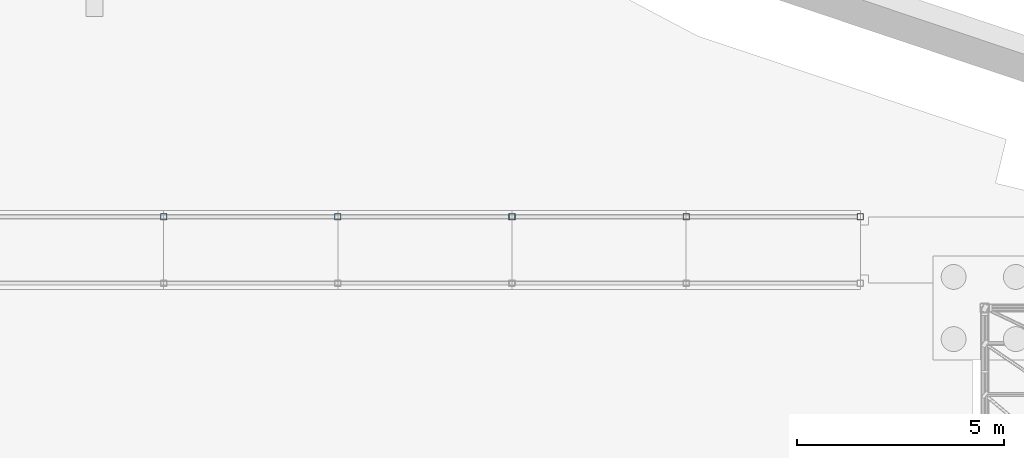
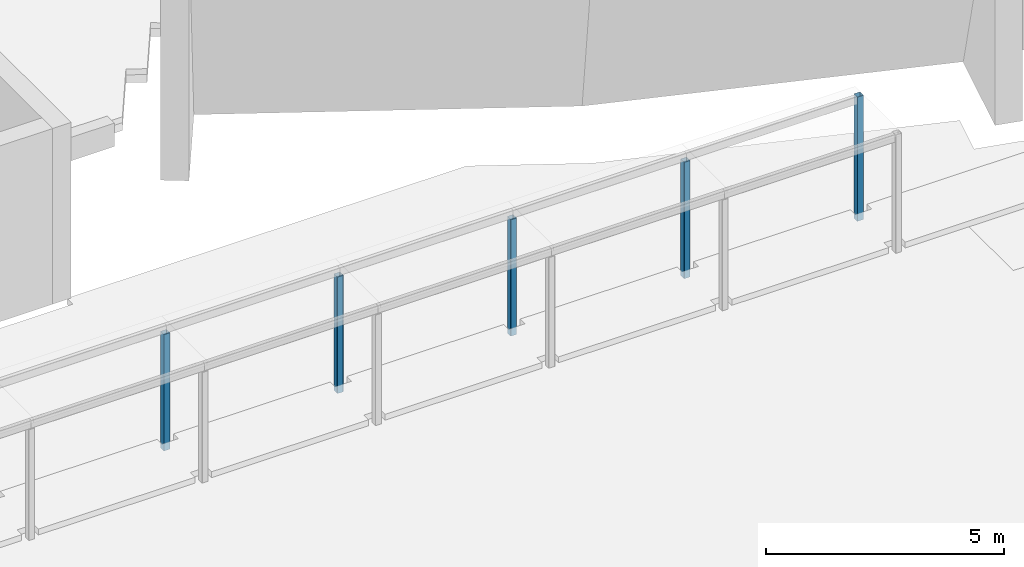
# One storey, part 6 of 116: 5 columns.
"""IFC4 building model written with IfcOpenShell, lengths in metres."""

from ifc_helpers import new_model, si_unit, direction, frame, origin, origin_2d, place, context, subcontext, project, spatial, hollow_rectangle, extrude, material, material_profile, profile_set, type_object, element, save


model = new_model("IFC4")

# Units and contexts
model_context = context("Model", 3, precision=1e-05, world=origin(), true_north=direction((0.0, 1.0)))
body_context = subcontext(model_context, "Body", "Model", "MODEL_VIEW")
ifc_project = project(units=[si_unit("LENGTHUNIT", "METRE"), si_unit("AREAUNIT", "SQUARE_METRE"), si_unit("VOLUMEUNIT", "CUBIC_METRE"), si_unit("PLANEANGLEUNIT", "RADIAN"), si_unit("MASSUNIT", "GRAM", prefix="KILO")], contexts=[model_context])

# Site, building, storey
site_placement = place(None, origin())
site = spatial("IfcSite", under=ifc_project, at=site_placement, CompositionType="ELEMENT")
building_placement = place(site_placement, origin())
building = spatial("IfcBuilding", under=site, at=building_placement, Name="Ardhachandra Cancer Care Centre", CompositionType="ELEMENT")
storey_placement = place(building_placement, origin())
storey = spatial("IfcBuildingStorey", under=building, at=storey_placement, Name="L00", CompositionType="ELEMENT", Elevation=0.0)

# Columns
ifc_material = material(Name="Steel E350 (IS 2062)", Category="steel")
ifc_material_profile = material_profile(ifc_material, hollow_rectangle(XDim=0.14990234375, YDim=0.14990234375, WallThickness=0.006103515625, InnerFilletRadius=0.006103515625, OuterFilletRadius=0.011962890625, at=origin_2d()), Name="SHS 150x150x6.0")
ifc_profile_set = profile_set([ifc_material_profile], Name="Steel E350 (IS 2062)")
column_type = type_object("IfcColumnType", Name="Walk column SHS 150x150x6.0", PredefinedType="COLUMN", material=ifc_profile_set)
column_placement = place(storey_placement, frame((60.60009765625, 23.800048828125, -0.300048828125), z_axis=(0.0, 0.0, 1.0), x_axis=(1.0, 0.0, 0.0)))
element("IfcColumn", 1, at=column_placement, inside=storey, type_object=column_type, Name="Walk column N01", PredefinedType="COLUMN", context=body_context, shape_type="SweptSolid", body=[
    extrude(hollow_rectangle(XDim=0.14990234375, YDim=0.14990234375, WallThickness=0.006103515625, InnerFilletRadius=0.006103515625, OuterFilletRadius=0.011962890625, at=origin_2d()), origin(), (0.0, 0.0, 1.0), 3.179931640625),
])
for number, where, z_axis, x_axis, name in (
    (2, (56.39990234375, 23.800048828125, -0.300048828125), (0.0, 0.0, 1.0), (1.0, 0.0, 0.0), "Walk column N02"),
    (3, (52.199951171875, 23.800048828125, -0.300048828125), (0.0, 0.0, 1.0), (1.0, 0.0, 0.0), "Walk column N03"),
    (4, (48.0, 23.800048828125, -0.300048828125), (0.0, 0.0, 1.0), (1.0, 0.0, 0.0), "Walk column N04"),
    (5, (43.800048828125, 23.800048828125, -0.300048828125), (0.0, 0.0, 1.0), (1.0, 0.0, 0.0), "Walk column N05"),
):
    element("IfcColumn", number, at=place(storey_placement, frame(where, z_axis=z_axis, x_axis=x_axis)), inside=storey, type_object=column_type, Name=name, PredefinedType="COLUMN", context=body_context, shape_type="SweptSolid", body=[
        extrude(hollow_rectangle(XDim=0.14990234375, YDim=0.14990234375, WallThickness=0.006103515625, InnerFilletRadius=0.006103515625, OuterFilletRadius=0.011962890625, at=origin_2d()), origin(), (0.0, 0.0, 1.0), 2.97998046875),
    ])

save(model, "model.ifc")
